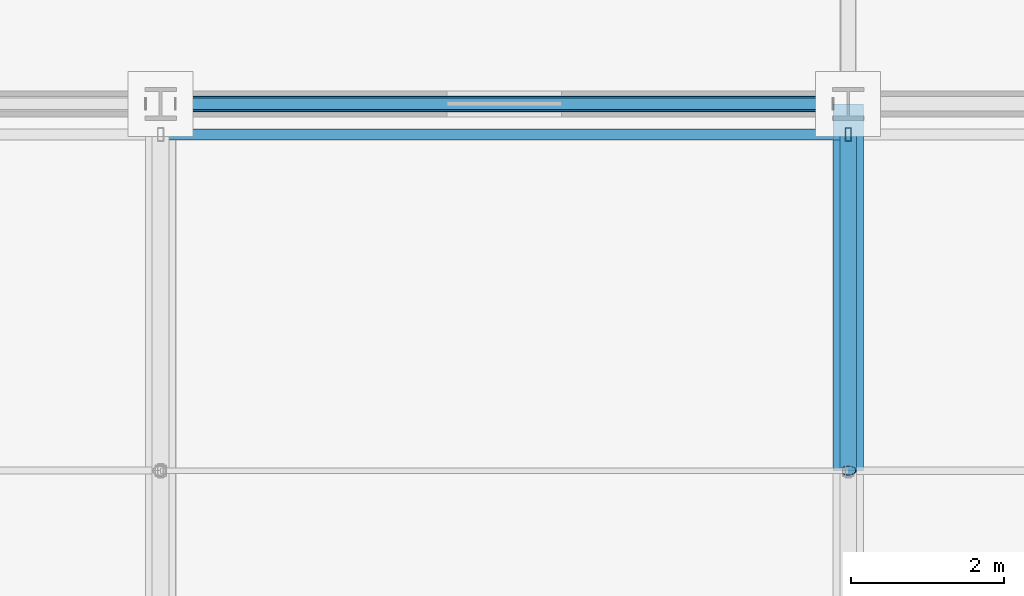
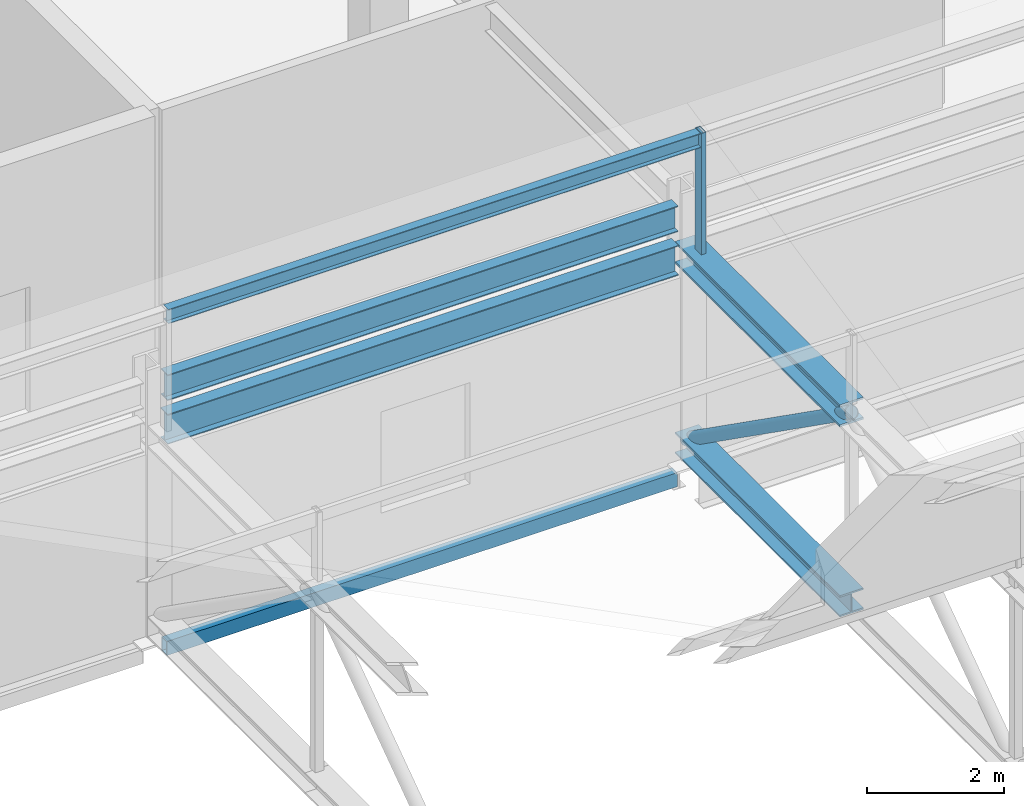
# One storey, part 59 of 136: 5 beams, 3 members.
"""IFC4 building model written with IfcOpenShell, lengths in metres."""

from ifc_helpers import new_model, si_unit, direction, frame, origin, origin_2d, place, context, subcontext, project, spatial, hollow_rectangle, hollow_circle, i_section, extrude, material, material_profile, profile_set, type_object, element, save


model = new_model("IFC4")

# Units and contexts
model_context = context("Model", 3, precision=1e-05, world=origin(), true_north=direction((0.0, 1.0)))
body_context = subcontext(model_context, "Body", "Model", "MODEL_VIEW")
ifc_project = project(units=[si_unit("LENGTHUNIT", "METRE"), si_unit("AREAUNIT", "SQUARE_METRE"), si_unit("VOLUMEUNIT", "CUBIC_METRE"), si_unit("PLANEANGLEUNIT", "RADIAN"), si_unit("MASSUNIT", "GRAM", prefix="KILO")], contexts=[model_context])

# Site, building, storey
site_placement = place(None, origin())
site = spatial("IfcSite", under=ifc_project, at=site_placement, CompositionType="ELEMENT")
building_placement = place(site_placement, origin())
building = spatial("IfcBuilding", under=site, at=building_placement, Name="Kisiwana Market Hall", CompositionType="ELEMENT")
storey_placement = place(building_placement, frame((0.0, 0.0, 16.800048828125)))
storey = spatial("IfcBuildingStorey", under=building, at=storey_placement, Name="L03", CompositionType="ELEMENT", Elevation=16.800048828125)

# Beams
ifc_material_1 = material(Name="Steel S355", Category="steel")
ifc_material_profile_1 = material_profile(ifc_material_1, i_section(OverallWidth=0.19140625, OverallDepth=0.4599609375, WebThickness=0.010009765625, FlangeThickness=0.01611328125, at=origin_2d()), Name="UB 457x191x82")
ifc_profile_set_1 = profile_set([ifc_material_profile_1], Name="Steel S355")
beam_type_1 = type_object("IfcBeamType", Name="BM-GIRD-UB457H", PredefinedType="BEAM", material=ifc_profile_set_1)
beam_1_placement = place(storey_placement, frame((108.201904296875, 84.0, 4.27783203125), z_axis=(1.0, 0.0, 0.0), x_axis=(0.0, 1.0, 0.0)))
element("IfcBeam", 1, at=beam_1_placement, inside=storey, type_object=beam_type_1, Name="Roof girder B-1155", PredefinedType="BEAM", context=body_context, shape_type="SweptSolid", body=[
    extrude(i_section(OverallWidth=0.19140625, OverallDepth=0.4599609375, WebThickness=0.010009765625, FlangeThickness=0.01611328125, at=origin_2d()), origin(), (0.0, 0.0, 1.0), 8.59619140625),
])
ifc_material_2 = material(Name="Steel S355", Category="steel")
ifc_material_profile_2 = material_profile(ifc_material_2, i_section(OverallWidth=0.209228515625, OverallDepth=0.533203125, WebThickness=0.010009765625, FlangeThickness=0.015625, at=origin_2d()), Name="UB 533x210x92")
ifc_profile_set_2 = profile_set([ifc_material_profile_2], Name="Steel S355")
beam_type_2 = type_object("IfcBeamType", Name="BM-GIRD-UB533", PredefinedType="BEAM", material=ifc_profile_set_2)
beam_2_placement = place(storey_placement, frame((108.199951171875, 84.0, 3.54345703125), z_axis=(1.0, 0.0, 0.0), x_axis=(0.0, 1.0, 0.0)))
element("IfcBeam", 2, at=beam_2_placement, inside=storey, type_object=beam_type_2, Name="Truss eaves tie B-1172", PredefinedType="BEAM", context=body_context, shape_type="SweptSolid", body=[
    extrude(i_section(OverallWidth=0.209228515625, OverallDepth=0.533203125, WebThickness=0.010009765625, FlangeThickness=0.015625, at=origin_2d()), origin(), (0.0, 0.0, 1.0), 8.60009765625),
])
ifc_material_3 = material(Name="Steel S355", Category="steel")
ifc_material_profile_3 = material_profile(ifc_material_3, hollow_rectangle(XDim=0.14990234375, YDim=0.25, WallThickness=0.010009765625, at=origin_2d()), Name="RHS 250x150x10.0")
ifc_profile_set_3 = profile_set([ifc_material_profile_3], Name="Steel S355")
beam_type_3 = type_object("IfcBeamType", Name="BM-SPAN-RHS250", PredefinedType="SPANDREL", material=ifc_profile_set_3)
beam_3_placement = place(storey_placement, frame((108.201904296875, 84.0, -0.375), z_axis=(1.0, 0.0, 0.0), x_axis=(0.0, 1.0, 0.0)))
element("IfcBeam", 3, at=beam_3_placement, inside=storey, type_object=beam_type_3, Name="Floor beam B-1034", PredefinedType="SPANDREL", context=body_context, shape_type="SweptSolid", body=[
    extrude(hollow_rectangle(XDim=0.14990234375, YDim=0.25, WallThickness=0.010009765625, at=origin_2d()), origin(), (0.0, 0.0, 1.0), 8.59619140625),
])
ifc_material_4 = material(Name="Steel S355", Category="steel")
ifc_material_profile_4 = material_profile(ifc_material_4, i_section(OverallWidth=0.394775390625, OverallDepth=0.381103515625, WebThickness=0.018310546875, FlangeThickness=0.0302734375, at=origin_2d()), Name="UC 356x406x235")
ifc_profile_set_4 = profile_set([ifc_material_profile_4], Name="Steel S355")
beam_type_4 = type_object("IfcBeamType", Name="BM-TRUSS-BOT", PredefinedType="USERDEFINED", material=ifc_profile_set_4)
beam_4_placement = place(storey_placement, frame((117.0, 79.199951171875, 0.22998046875), z_axis=(0.0, 1.0, 0.0), x_axis=(-1.0, 0.0, 0.0)))
element("IfcBeam", 4, at=beam_4_placement, inside=storey, type_object=beam_type_4, Name="TR-06 BC panel 10 B-1278", ObjectType="ROOF TRUSS", PredefinedType="USERDEFINED", context=body_context, shape_type="SweptSolid", body=[
    extrude(i_section(OverallWidth=0.394775390625, OverallDepth=0.381103515625, WebThickness=0.018310546875, FlangeThickness=0.0302734375, at=origin_2d()), origin(), (0.0, 0.0, 1.0), 4.800048828125),
])
ifc_material_5 = material(Name="Steel S355", Category="steel")
ifc_material_profile_5 = material_profile(ifc_material_5, i_section(OverallWidth=0.39892578125, OverallDepth=0.3935546875, WebThickness=0.022705078125, FlangeThickness=0.03662109375, at=origin_2d()), Name="UC 356x406x287")
ifc_profile_set_5 = profile_set([ifc_material_profile_5], Name="Steel S355")
beam_type_5 = type_object("IfcBeamType", Name="BM-TRUSS-TOP", PredefinedType="USERDEFINED", material=ifc_profile_set_5)
beam_5_placement = place(storey_placement, frame((117.0, 79.199951171875, 3.619873046875), z_axis=(0.0, 1.0, 0.0), x_axis=(-1.0, 0.0, 0.0)))
element("IfcBeam", 5, at=beam_5_placement, inside=storey, type_object=beam_type_5, Name="TR-06 TC panel 10 B-1288", ObjectType="ROOF TRUSS", PredefinedType="USERDEFINED", context=body_context, shape_type="SweptSolid", body=[
    extrude(i_section(OverallWidth=0.39892578125, OverallDepth=0.3935546875, WebThickness=0.022705078125, FlangeThickness=0.03662109375, at=origin_2d()), origin(), (0.0, 0.0, 1.0), 4.800048828125),
])

# Members
ifc_material_6 = material(Name="Steel S355", Category="steel")
ifc_material_profile_6 = material_profile(ifc_material_6, hollow_rectangle(XDim=0.080078125, YDim=0.179931640625, WallThickness=0.00634765625, at=origin_2d()), Name="RHS 180x80x6.3")
ifc_profile_set_6 = profile_set([ifc_material_profile_6], Name="Steel S355")
member_type_1 = type_object("IfcMemberType", Name="MB-CAN-STRUT", PredefinedType="STRUT", material=ifc_profile_set_6)
member_1_placement = place(storey_placement, frame((117.0, 83.60009765625, 3.619873046875), z_axis=(0.0, 0.0, 1.0), x_axis=(1.0, 0.0, 0.0)))
element("IfcMember", 6, at=member_1_placement, inside=storey, type_object=member_type_1, Name="Sawtooth raker post 344 M-0331", PredefinedType="STRUT", context=body_context, shape_type="SweptSolid", body=[
    extrude(hollow_rectangle(XDim=0.080078125, YDim=0.179931640625, WallThickness=0.00634765625, at=origin_2d()), origin(), (0.0, 0.0, 1.0), 2.355712890625),
])
ifc_material_7 = material(Name="Steel S355", Category="steel")
ifc_material_profile_7 = material_profile(ifc_material_7, i_section(OverallWidth=0.146484375, OverallDepth=0.256103515625, WebThickness=0.00634765625, FlangeThickness=0.010986328125, at=origin_2d()), Name="UB 254x146x37")
ifc_profile_set_7 = profile_set([ifc_material_profile_7], Name="Steel S355")
member_type_2 = type_object("IfcMemberType", Name="MB-ROOF-PURLIN2", PredefinedType="PURLIN", material=ifc_profile_set_7)
member_2_placement = place(storey_placement, frame((108.0, 83.60009765625, 5.843505859375), z_axis=(1.0, 0.0, 0.0), x_axis=(0.0, 1.0, 0.0)))
element("IfcMember", 7, at=member_2_placement, inside=storey, type_object=member_type_2, Name="Sawtooth roof purlin 358 M-0219", PredefinedType="PURLIN", context=body_context, shape_type="SweptSolid", body=[
    extrude(i_section(OverallWidth=0.146484375, OverallDepth=0.256103515625, WebThickness=0.00634765625, FlangeThickness=0.010986328125, at=origin_2d()), origin(), (0.0, 0.0, 1.0), 9.0),
])
ifc_material_8 = material(Name="Steel S355", Category="steel")
ifc_material_profile_8 = material_profile(ifc_material_8, hollow_circle(Radius=0.109619140625, WallThickness=0.012451171875, at=origin_2d()), Name="CHS 219.1x12.5")
ifc_profile_set_8 = profile_set([ifc_material_profile_8], Name="Steel S355")
member_type_3 = type_object("IfcMemberType", Name="MB-TR-DIAG219", PredefinedType="BRACE", material=ifc_profile_set_8)
member_3_placement = place(storey_placement, frame((117.0, 79.199951171875, 3.619873046875), z_axis=(0.0, 0.816837735077, -0.576867501732), x_axis=(-1.0, 0.0, 0.0)))
element("IfcMember", 8, at=member_3_placement, inside=storey, type_object=member_type_3, Name="TR-06 diagonal 10 M-0431", PredefinedType="BRACE", context=body_context, shape_type="SweptSolid", body=[
    extrude(hollow_circle(Radius=0.109619140625, WallThickness=0.012451171875, at=origin_2d()), origin(), (0.0, 0.0, 1.0), 5.87646484375),
])

save(model, "model.ifc")
